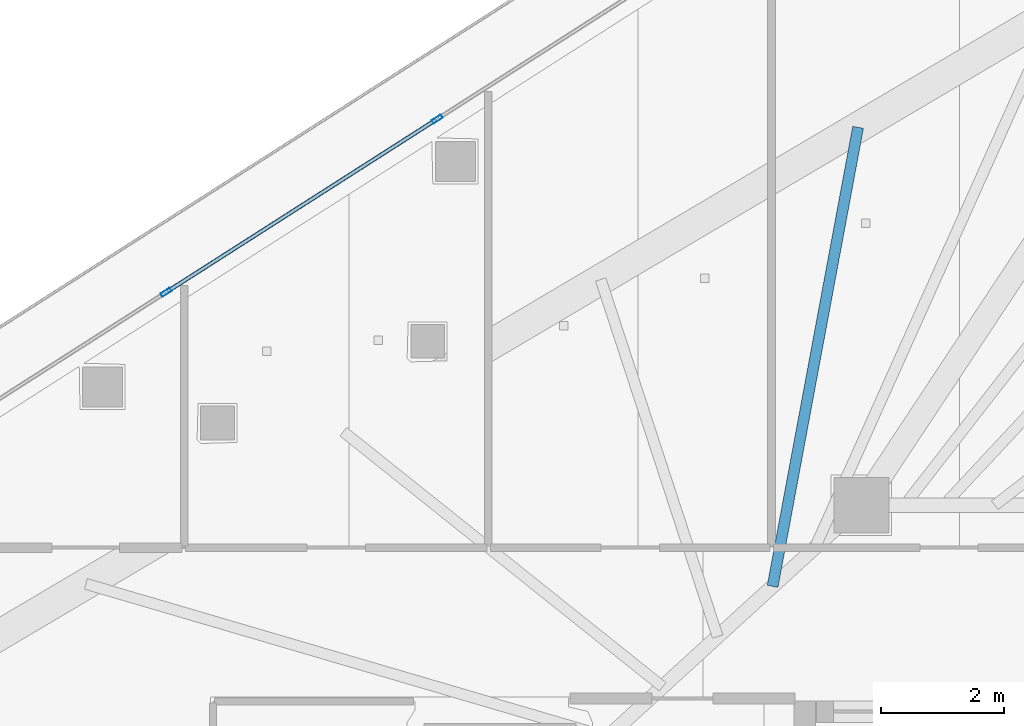
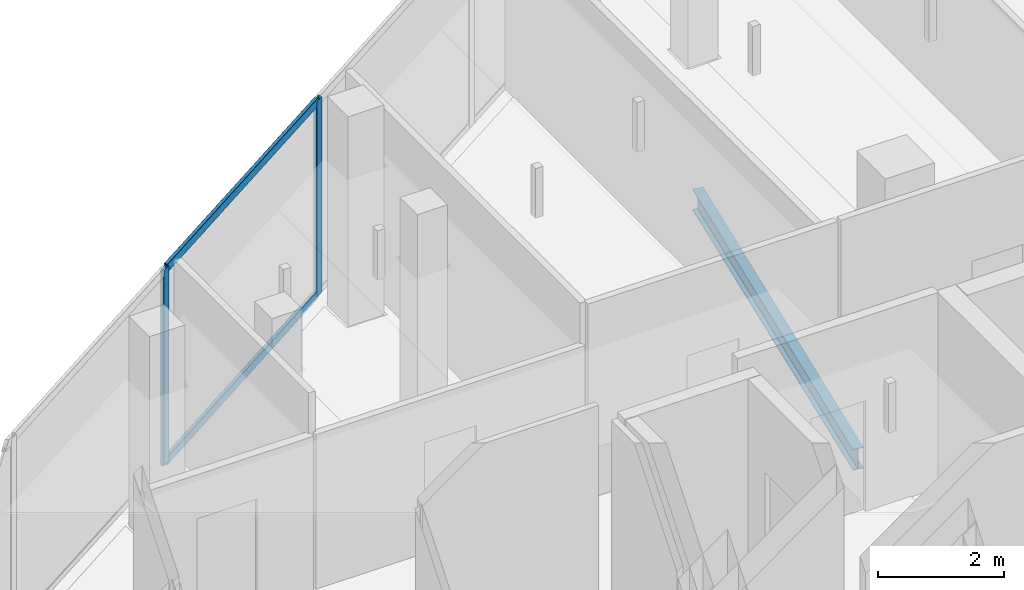
# One storey, part 15 of 33: 4 members, 1 beam, 1 element without a shape of its own.
"""IFC4 building model written with IfcOpenShell, lengths in metres."""

from ifc_helpers import new_model, si_unit, direction, frame, origin, origin_2d, place, context, subcontext, project, spatial, hollow_rectangle, i_section, extrude, material, layer, layer_set, material_profile, profile_set, type_object, element, aggregate, save


model = new_model("IFC4")

# Units and contexts
model_context = context("Model", 3, precision=1e-05, world=origin(), true_north=direction((0.0, 1.0)))
body_context = subcontext(model_context, "Body", "Model", "MODEL_VIEW")
ifc_project = project(units=[si_unit("LENGTHUNIT", "METRE"), si_unit("AREAUNIT", "SQUARE_METRE"), si_unit("VOLUMEUNIT", "CUBIC_METRE"), si_unit("PLANEANGLEUNIT", "RADIAN"), si_unit("MASSUNIT", "GRAM", prefix="KILO")], contexts=[model_context])

# Site, building, storey
site_placement = place(None, origin())
site = spatial("IfcSite", under=ifc_project, at=site_placement, CompositionType="ELEMENT")
building_placement = place(site_placement, origin())
building = spatial("IfcBuilding", under=site, at=building_placement, Name="Qorvath Tower", CompositionType="ELEMENT")
storey_placement = place(building_placement, frame((0.0, 0.0, 237.449951171875)))
storey = spatial("IfcBuildingStorey", under=building, at=storey_placement, Name="L55", CompositionType="ELEMENT", Elevation=237.449951171875)

# Beam
ifc_material_1 = material(Name="Steel ASTM A992 Grade 50", Category="steel")
ifc_material_profile_1 = material_profile(ifc_material_1, i_section(OverallWidth=0.177978515625, OverallDepth=0.406005859375, WebThickness=0.0078125, FlangeThickness=0.0126953125, FilletRadius=0.010986328125, at=origin_2d()), Name="W16x40")
ifc_profile_set_1 = profile_set([ifc_material_profile_1], Name="Steel ASTM A992 Grade 50")
beam_type = type_object("IfcBeamType", Name="BM-FJ3", PredefinedType="JOIST", material=ifc_profile_set_1)
beam_placement = place(storey_placement, frame((-25.049072265625, 10.126953125, -0.47314453125), z_axis=(0.183026775988, 0.983107928598, 0.0), x_axis=(-0.983107928598, 0.183026775988, 0.0)))
element("IfcBeam", 1, at=beam_placement, inside=storey, type_object=beam_type, Name="Composite Floor Joist NW6 L55", PredefinedType="JOIST", context=body_context, shape_type="SweptSolid", body=[
    extrude(i_section(OverallWidth=0.177978515625, OverallDepth=0.406005859375, WebThickness=0.0078125, FlangeThickness=0.0126953125, FilletRadius=0.010986328125, at=origin_2d()), origin(), (0.0, 0.0, 1.0), 7.617919921875),
])

# Curtain wall, members
ifc_material_2 = material(Name="Anodised aluminium and triple low-E glass", Category="aluminium")
ifc_layer = layer(ifc_material_2, 0.179931640625)
ifc_layer_set = layer_set([ifc_layer], Name="CW-SYS-3")
curtain_wall_type = type_object("IfcCurtainWallType", Name="CW-SYS-3", PredefinedType="NOTDEFINED", material=ifc_layer_set)
curtain_wall_placement = place(storey_placement, origin())
curtain_wall = element("IfcCurtainWall", 2, at=curtain_wall_placement, inside=storey, type_object=curtain_wall_type, Name="Curtain Wall CW-3 CW-T-L55-16.1", PredefinedType="NOTDEFINED")
ifc_material_3 = material(Name="Anodised aluminium 6063-T6", Category="aluminium")
ifc_material_profile_2 = material_profile(ifc_material_3, hollow_rectangle(XDim=0.06494140625, YDim=0.179931640625, WallThickness=0.00341796875, InnerFilletRadius=0.00341796875, OuterFilletRadius=0.007080078125, at=origin_2d()), Name="CWM 180x65")
ifc_profile_set_2 = profile_set([ifc_material_profile_2], Name="Anodised aluminium 6063-T6")
member_type_1 = type_object("IfcMemberType", Name="CWM-180", PredefinedType="MULLION", material=ifc_profile_set_2)
member_1_placement = place(storey_placement, frame((-30.521728515625, 17.751220703125, 0.0), z_axis=(0.0, 0.0, 1.0), x_axis=(0.53852851579, -0.842607285561, 0.0)))
member_1 = element("IfcMember", 3, at=member_1_placement, type_object=member_type_1, Name="CW-3 mullion 4", PredefinedType="MULLION", context=body_context, shape_type="SweptSolid", body=[
    extrude(hollow_rectangle(XDim=0.06494140625, YDim=0.179931640625, WallThickness=0.00341796875, InnerFilletRadius=0.00341796875, OuterFilletRadius=0.007080078125, at=origin_2d()), origin(), (0.0, 0.0, 1.0), 3.780029296875),
])
member_2_placement = place(storey_placement, frame((-34.943603515625, 14.92529296875, 0.0), z_axis=(0.0, 0.0, 1.0), x_axis=(0.53852851579, -0.842607285561, 0.0)))
member_2 = element("IfcMember", 4, at=member_2_placement, type_object=member_type_1, Name="CW-3 mullion 5", PredefinedType="MULLION", context=body_context, shape_type="SweptSolid", body=[
    extrude(hollow_rectangle(XDim=0.06494140625, YDim=0.179931640625, WallThickness=0.00341796875, InnerFilletRadius=0.00341796875, OuterFilletRadius=0.007080078125, at=origin_2d()), origin(), (0.0, 0.0, 1.0), 3.780029296875),
])
ifc_material_4 = material(Name="Anodised aluminium 6063-T6", Category="aluminium")
ifc_material_profile_3 = material_profile(ifc_material_4, hollow_rectangle(XDim=0.06494140625, YDim=0.159912109375, WallThickness=0.00341796875, InnerFilletRadius=0.00341796875, OuterFilletRadius=0.007080078125, at=origin_2d()), Name="CWT 160x65")
ifc_profile_set_3 = profile_set([ifc_material_profile_3], Name="Anodised aluminium 6063-T6")
member_type_2 = type_object("IfcMemberType", Name="CWT-160", PredefinedType="USERDEFINED", material=ifc_profile_set_3)
member_3_placement = place(storey_placement, frame((-30.54931640625, 17.733642578125, 0.032470703125), z_axis=(-0.842614316902, -0.538517514062, 0.0), x_axis=(0.538517514062, -0.842614316902, 0.0)))
member_3 = element("IfcMember", 5, at=member_3_placement, type_object=member_type_2, Name="CW-3 transom 4.1", ObjectType="TRANSOM", PredefinedType="USERDEFINED", context=body_context, shape_type="SweptSolid", body=[
    extrude(hollow_rectangle(XDim=0.06494140625, YDim=0.159912109375, WallThickness=0.00341796875, InnerFilletRadius=0.00341796875, OuterFilletRadius=0.007080078125, at=origin_2d()), origin(), (0.0, 0.0, 1.0), 5.182373046875),
])
member_4_placement = place(storey_placement, frame((-30.54931640625, 17.733642578125, 3.74755859375), z_axis=(-0.842614316902, -0.538517514062, 0.0), x_axis=(0.538517514062, -0.842614316902, 0.0)))
member_4 = element("IfcMember", 6, at=member_4_placement, type_object=member_type_2, Name="CW-3 transom 4.2", ObjectType="TRANSOM", PredefinedType="USERDEFINED", context=body_context, shape_type="SweptSolid", body=[
    extrude(hollow_rectangle(XDim=0.06494140625, YDim=0.159912109375, WallThickness=0.00341796875, InnerFilletRadius=0.00341796875, OuterFilletRadius=0.007080078125, at=origin_2d()), origin(), (0.0, 0.0, 1.0), 5.182373046875),
])
aggregate(curtain_wall, [member_1, member_2, member_3, member_4])

save(model, "model.ifc")
